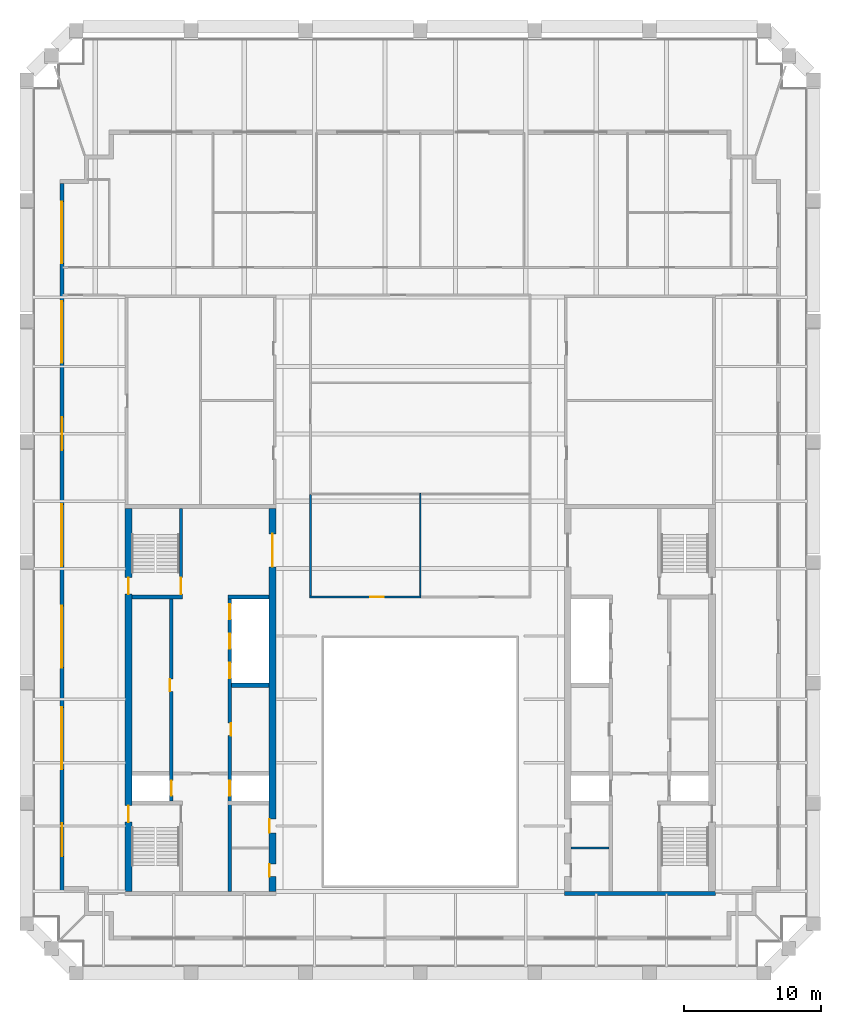
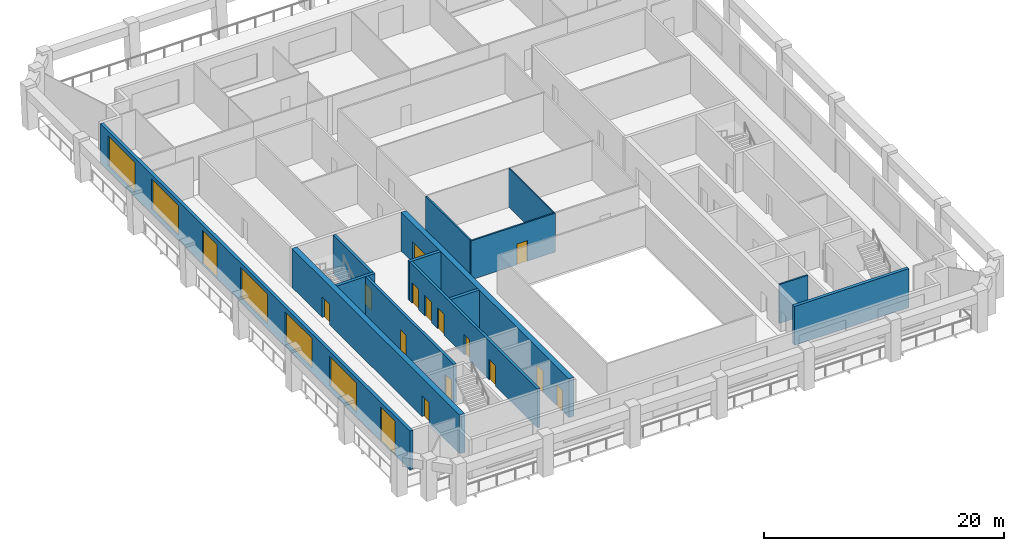
# One storey, part 3 of 9: 16 doors, 14 walls, 5 windows, 21 openings.
"""IFC4 building model written with IfcOpenShell, lengths in metres."""

from ifc_helpers import new_model, si_unit, direction, frame, frame_2d, origin, place, context, subcontext, project, spatial, rectangle, extrude, material, layer, layer_set, type_object, element, fill, save


model = new_model("IFC4")

# Units and contexts
model_context = context("Model", 3, precision=1e-05, world=origin(), true_north=direction((0.0, 1.0)))
body_context = subcontext(model_context, "Body", "Model", "MODEL_VIEW")
ifc_project = project(units=[si_unit("LENGTHUNIT", "METRE"), si_unit("AREAUNIT", "SQUARE_METRE"), si_unit("VOLUMEUNIT", "CUBIC_METRE"), si_unit("PLANEANGLEUNIT", "RADIAN"), si_unit("MASSUNIT", "GRAM", prefix="KILO")], contexts=[model_context])

# Site, building, storey
site_placement = place(None, origin())
site = spatial("IfcSite", under=ifc_project, at=site_placement, CompositionType="ELEMENT")
building_placement = place(site_placement, origin())
building = spatial("IfcBuilding", under=site, at=building_placement, Name="Ogive Exchange Tower", CompositionType="ELEMENT")
storey_placement = place(building_placement, frame((0.0, 0.0, 355.199951171875)))
storey = spatial("IfcBuildingStorey", under=building, at=storey_placement, Name="L78", CompositionType="ELEMENT", Elevation=355.199951171875)

# Wall
ifc_material_1 = material(Name="Gypsum board partition")
ifc_layer_1 = layer(ifc_material_1, 0.14990234375)
ifc_layer_set_1 = layer_set([ifc_layer_1], Name="Core room partition 150 gypsum")
wall_type_1 = type_object("IfcWallType", Name="Core room partition 150 gypsum", PredefinedType="PARTITIONING", material=ifc_layer_set_1)
wall_1_placement = place(storey_placement, frame((11.0, 0.699951171875, 0.0), z_axis=(0.0, 0.0, 1.0), x_axis=(1.0, 0.0, 0.0)))
element("IfcWall", 1, at=wall_1_placement, inside=storey, type_object=wall_type_1, Name="E south room partition", PredefinedType="PARTITIONING", context=body_context, shape_type="SweptSolid", body=[
    extrude(rectangle(XDim=2.75, YDim=0.14990234375, at=frame_2d((1.375, 0.0))), origin(), (0.0, 0.0, 1.0), 3.949951171875),
])

# Wall, opening, door
ifc_material_2 = material(Name="Fire partition EI 60 150")
ifc_layer_2 = layer(ifc_material_2, 0.14990234375)
ifc_layer_set_2 = layer_set([ifc_layer_2], Name="Fire partition EI 60 150")
wall_type_2 = type_object("IfcWallType", Name="Fire partition EI 60 150", PredefinedType="PARTITIONING", material=ifc_layer_set_2)
wall_2_placement = place(storey_placement, frame((-8.074951171875, 19.0, 0.0), z_axis=(0.0, 0.0, 1.0), x_axis=(1.0, 0.0, 0.0)))
wall_2 = element("IfcWall", 2, at=wall_2_placement, inside=storey, type_object=wall_type_2, Name="L78-PWL-012", PredefinedType="PARTITIONING", context=body_context, shape_type="SweptSolid", body=[
    extrude(rectangle(XDim=8.125, YDim=0.14990234375, at=frame_2d((4.0625, 0.0))), origin(), (0.0, 0.0, 1.0), 3.949951171875),
])
opening_1_placement = place(wall_2_placement, frame((4.425048828125, 0.0, 0.0)))
opening_1 = element("IfcOpeningElement", 3, at=opening_1_placement, cuts=wall_2, Name="Opening L78-I14", PredefinedType="OPENING", context=body_context, shape_type="SweptSolid", body=[
    extrude(rectangle(XDim=1.0, YDim=2.10009765625, at=frame_2d((0.5, 1.050048828125))), frame((0.0, 0.0849609375, 0.0), z_axis=(0.0, -1.0, 0.0), x_axis=(1.0, 0.0, 0.0)), (0.0, 0.0, 1.0), 0.169921875),
])
ifc_material_3 = material(Name="Fire door FD 30S 1000 x 2100")
door_type_1 = type_object("IfcDoorType", Name="Fire door FD 30S 1000 x 2100", OperationType="NOTDEFINED", PredefinedType="DOOR", material=ifc_material_3)
door_1_placement = place(opening_1_placement, origin())
door_1 = element("IfcDoor", 4, at=door_1_placement, inside=storey, type_object=door_type_1, Name="L78-IDR-014", ObjectType="DT3", OperationType="SINGLE_SWING_LEFT", OverallHeight=2.10009765625, OverallWidth=1.0, PredefinedType="DOOR", context=body_context, shape_type="SweptSolid", body=[
    extrude(rectangle(XDim=1.0, YDim=2.10009765625, at=frame_2d((0.5, 1.050048828125))), frame((0.0, 0.02490234375, 0.0), z_axis=(0.0, -1.0, 0.0), x_axis=(1.0, 0.0, 0.0)), (0.0, 0.0, 1.0), 0.050048828125),
])
fill(opening_1, door_1)

# Wall
wall_3_placement = place(storey_placement, frame((-8.0, 26.449951171875, 0.0), z_axis=(0.0, 0.0, 1.0), x_axis=(0.0, -1.0, 0.0)))
element("IfcWall", 5, at=wall_3_placement, inside=storey, type_object=wall_type_2, Name="L78-PWL-013", PredefinedType="PARTITIONING", context=body_context, shape_type="SweptSolid", body=[
    extrude(rectangle(XDim=7.375, YDim=0.14990234375, at=frame_2d((3.6875, 0.0))), origin(), (0.0, 0.0, 1.0), 3.949951171875),
])

# Wall, openings, doors, windows
ifc_material_4 = material(Name="Precast concrete C40/50", Category="concrete")
ifc_layer_3 = layer(ifc_material_4, 0.300048828125)
ifc_layer_set_3 = layer_set([ifc_layer_3], Name="Limestone-faced wall 300")
wall_type_3 = type_object("IfcWallType", Name="Limestone-faced wall 300", PredefinedType="STANDARD", material=ifc_layer_set_3)
wall_4_placement = place(storey_placement, frame((-26.10009765625, 49.10009765625, 0.0), z_axis=(0.0, 0.0, 1.0), x_axis=(0.0, -1.0, 0.0)))
wall_4 = element("IfcWall", 6, at=wall_4_placement, inside=storey, type_object=wall_type_3, Name="External wall W4", PredefinedType="STANDARD", context=body_context, shape_type="SweptSolid", body=[
    extrude(rectangle(XDim=51.5, YDim=0.300048828125, at=frame_2d((25.75, 0.0))), origin(), (0.0, 0.0, 1.0), 3.949951171875),
])
opening_2_placement = place(wall_4_placement, frame((1.300048828125, 0.0, 0.449951171875)))
opening_2 = element("IfcOpeningElement", 7, at=opening_2_placement, cuts=wall_4, Name="Opening W1", PredefinedType="OPENING", context=body_context, shape_type="SweptSolid", body=[
    extrude(rectangle(XDim=4.5, YDim=3.050048828125, at=frame_2d((2.25, 1.52490234375))), frame((0.0, 0.159912109375, 0.0), z_axis=(0.0, -1.0, 0.0), x_axis=(1.0, 0.0, 0.0)), (0.0, 0.0, 1.0), 0.320068359375),
])
opening_3_placement = place(wall_4_placement, frame((8.550048828125, 0.0, 0.449951171875)))
opening_3 = element("IfcOpeningElement", 8, at=opening_3_placement, cuts=wall_4, Name="Opening W1", PredefinedType="OPENING", context=body_context, shape_type="SweptSolid", body=[
    extrude(rectangle(XDim=4.5, YDim=3.050048828125, at=frame_2d((2.25, 1.52490234375))), frame((0.0, 0.159912109375, 0.0), z_axis=(0.0, -1.0, 0.0), x_axis=(1.0, 0.0, 0.0)), (0.0, 0.0, 1.0), 0.320068359375),
])
opening_4_placement = place(wall_4_placement, frame((17.0, 0.0, 0.0)))
opening_4 = element("IfcOpeningElement", 9, at=opening_4_placement, cuts=wall_4, Name="Opening D1A", PredefinedType="OPENING", context=body_context, shape_type="SweptSolid", body=[
    extrude(rectangle(XDim=2.39990234375, YDim=3.449951171875, at=frame_2d((1.199951171875, 1.72509765625))), frame((0.0, 0.159912109375, 0.0), z_axis=(0.0, -1.0, 0.0), x_axis=(1.0, 0.0, 0.0)), (0.0, 0.0, 1.0), 0.320068359375),
])
opening_5_placement = place(wall_4_placement, frame((23.35009765625, 0.0, 0.449951171875)))
opening_5 = element("IfcOpeningElement", 10, at=opening_5_placement, cuts=wall_4, Name="Opening W1", PredefinedType="OPENING", context=body_context, shape_type="SweptSolid", body=[
    extrude(rectangle(XDim=4.5, YDim=3.050048828125, at=frame_2d((2.25, 1.52490234375))), frame((0.0, 0.159912109375, 0.0), z_axis=(0.0, -1.0, 0.0), x_axis=(1.0, 0.0, 0.0)), (0.0, 0.0, 1.0), 0.320068359375),
])
opening_6_placement = place(wall_4_placement, frame((30.75, 0.0, 0.449951171875)))
opening_6 = element("IfcOpeningElement", 11, at=opening_6_placement, cuts=wall_4, Name="Opening W1", PredefinedType="OPENING", context=body_context, shape_type="SweptSolid", body=[
    extrude(rectangle(XDim=4.5, YDim=3.050048828125, at=frame_2d((2.25, 1.52490234375))), frame((0.0, 0.159912109375, 0.0), z_axis=(0.0, -1.0, 0.0), x_axis=(1.0, 0.0, 0.0)), (0.0, 0.0, 1.0), 0.320068359375),
])
opening_7_placement = place(wall_4_placement, frame((38.14990234375, 0.0, 0.449951171875)))
opening_7 = element("IfcOpeningElement", 12, at=opening_7_placement, cuts=wall_4, Name="Opening W1A", PredefinedType="OPENING", context=body_context, shape_type="SweptSolid", body=[
    extrude(rectangle(XDim=4.5, YDim=3.0, at=frame_2d((2.25, 1.5))), frame((0.0, 0.159912109375, 0.0), z_axis=(0.0, -1.0, 0.0), x_axis=(1.0, 0.0, 0.0)), (0.0, 0.0, 1.0), 0.320068359375),
])
opening_8_placement = place(wall_4_placement, frame((46.60009765625, 0.0, 0.0)))
opening_8 = element("IfcOpeningElement", 13, at=opening_8_placement, cuts=wall_4, Name="Opening D1A", PredefinedType="OPENING", context=body_context, shape_type="SweptSolid", body=[
    extrude(rectangle(XDim=2.39990234375, YDim=3.449951171875, at=frame_2d((1.199951171875, 1.72509765625))), frame((0.0, 0.159912109375, 0.0), z_axis=(0.0, -1.0, 0.0), x_axis=(1.0, 0.0, 0.0)), (0.0, 0.0, 1.0), 0.320068359375),
])
ifc_material_5 = material(Name="Clear glass in bronze frame", Category="glass")
door_type_2 = type_object("IfcDoorType", Name="Sliding loggia door 2400 x 3450", OperationType="DOUBLE_DOOR_SLIDING", PredefinedType="DOOR", material=ifc_material_5)
door_2_placement = place(opening_4_placement, origin())
door_2 = element("IfcDoor", 14, at=door_2_placement, inside=storey, type_object=door_type_2, Name="Loggia door W02", OperationType="DOUBLE_DOOR_SLIDING", OverallHeight=3.449951171875, OverallWidth=2.39990234375, PredefinedType="DOOR", context=body_context, shape_type="SweptSolid", body=[
    extrude(rectangle(XDim=2.39990234375, YDim=3.449951171875, at=frame_2d((1.199951171875, 1.72509765625))), frame((0.0, 0.02490234375, 0.0), z_axis=(0.0, -1.0, 0.0), x_axis=(1.0, 0.0, 0.0)), (0.0, 0.0, 1.0), 0.050048828125),
])
fill(opening_4, door_2)
door_3_placement = place(opening_8_placement, origin())
door_3 = element("IfcDoor", 15, at=door_3_placement, inside=storey, type_object=door_type_2, Name="Loggia door W06", OperationType="DOUBLE_DOOR_SLIDING", OverallHeight=3.449951171875, OverallWidth=2.39990234375, PredefinedType="DOOR", context=body_context, shape_type="SweptSolid", body=[
    extrude(rectangle(XDim=2.39990234375, YDim=3.449951171875, at=frame_2d((1.199951171875, 1.72509765625))), frame((0.0, 0.02490234375, 0.0), z_axis=(0.0, -1.0, 0.0), x_axis=(1.0, 0.0, 0.0)), (0.0, 0.0, 1.0), 0.050048828125),
])
fill(opening_8, door_3)
window_type_1 = type_object("IfcWindowType", Name="Twin lancet window 4500 x 3000", PartitioningType="DOUBLE_PANEL_VERTICAL", PredefinedType="WINDOW", material=ifc_material_5)
window_1_placement = place(opening_7_placement, origin())
window_1 = element("IfcWindow", 16, at=window_1_placement, inside=storey, type_object=window_type_1, Name="Window W05", OverallHeight=3.0, OverallWidth=4.5, PartitioningType="DOUBLE_PANEL_VERTICAL", PredefinedType="WINDOW", context=body_context, shape_type="SweptSolid", body=[
    extrude(rectangle(XDim=4.5, YDim=3.0, at=frame_2d((2.25, 1.5))), frame((0.0, 0.030029296875, 0.0), z_axis=(0.0, -1.0, 0.0), x_axis=(1.0, 0.0, 0.0)), (0.0, 0.0, 1.0), 0.06005859375),
])
fill(opening_7, window_1)
window_type_2 = type_object("IfcWindowType", Name="Twin lancet window 4500 x 3050", PartitioningType="DOUBLE_PANEL_VERTICAL", PredefinedType="WINDOW", material=ifc_material_5)
window_2_placement = place(opening_2_placement, origin())
window_2 = element("IfcWindow", 17, at=window_2_placement, inside=storey, type_object=window_type_2, Name="Window W00", OverallHeight=3.050048828125, OverallWidth=4.5, PartitioningType="DOUBLE_PANEL_VERTICAL", PredefinedType="WINDOW", context=body_context, shape_type="SweptSolid", body=[
    extrude(rectangle(XDim=4.5, YDim=3.050048828125, at=frame_2d((2.25, 1.52490234375))), frame((0.0, 0.030029296875, 0.0), z_axis=(0.0, -1.0, 0.0), x_axis=(1.0, 0.0, 0.0)), (0.0, 0.0, 1.0), 0.06005859375),
])
fill(opening_2, window_2)
window_3_placement = place(opening_3_placement, origin())
window_3 = element("IfcWindow", 18, at=window_3_placement, inside=storey, type_object=window_type_2, Name="Window W01", OverallHeight=3.050048828125, OverallWidth=4.5, PartitioningType="DOUBLE_PANEL_VERTICAL", PredefinedType="WINDOW", context=body_context, shape_type="SweptSolid", body=[
    extrude(rectangle(XDim=4.5, YDim=3.050048828125, at=frame_2d((2.25, 1.52490234375))), frame((0.0, 0.030029296875, 0.0), z_axis=(0.0, -1.0, 0.0), x_axis=(1.0, 0.0, 0.0)), (0.0, 0.0, 1.0), 0.06005859375),
])
fill(opening_3, window_3)
window_4_placement = place(opening_5_placement, origin())
window_4 = element("IfcWindow", 19, at=window_4_placement, inside=storey, type_object=window_type_2, Name="Window W03", OverallHeight=3.050048828125, OverallWidth=4.5, PartitioningType="DOUBLE_PANEL_VERTICAL", PredefinedType="WINDOW", context=body_context, shape_type="SweptSolid", body=[
    extrude(rectangle(XDim=4.5, YDim=3.050048828125, at=frame_2d((2.25, 1.52490234375))), frame((0.0, 0.030029296875, 0.0), z_axis=(0.0, -1.0, 0.0), x_axis=(1.0, 0.0, 0.0)), (0.0, 0.0, 1.0), 0.06005859375),
])
fill(opening_5, window_4)
window_5_placement = place(opening_6_placement, origin())
window_5 = element("IfcWindow", 20, at=window_5_placement, inside=storey, type_object=window_type_2, Name="Window W04", OverallHeight=3.050048828125, OverallWidth=4.5, PartitioningType="DOUBLE_PANEL_VERTICAL", PredefinedType="WINDOW", context=body_context, shape_type="SweptSolid", body=[
    extrude(rectangle(XDim=4.5, YDim=3.050048828125, at=frame_2d((2.25, 1.52490234375))), frame((0.0, 0.030029296875, 0.0), z_axis=(0.0, -1.0, 0.0), x_axis=(1.0, 0.0, 0.0)), (0.0, 0.0, 1.0), 0.06005859375),
])
fill(opening_6, window_5)

# Wall
ifc_material_6 = material(Name="Partition 100 gypsum")
ifc_layer_4 = layer(ifc_material_6, 0.10009765625)
ifc_layer_set_4 = layer_set([ifc_layer_4], Name="Partition 100 gypsum")
wall_type_4 = type_object("IfcWallType", Name="Partition 100 gypsum", PredefinedType="PARTITIONING", material=ifc_layer_set_4)
wall_5_placement = place(storey_placement, frame((0.0, 19.074951171875, 0.0), z_axis=(0.0, 0.0, 1.0), x_axis=(0.0, 1.0, 0.0)))
element("IfcWall", 21, at=wall_5_placement, inside=storey, type_object=wall_type_4, Name="L78-PWL-021", PredefinedType="PARTITIONING", context=body_context, shape_type="SweptSolid", body=[
    extrude(rectangle(XDim=7.47509765625, YDim=0.10009765625, at=frame_2d((3.737548828125, 0.0))), origin(), (0.0, 0.0, 1.0), 3.949951171875),
])

# Wall, opening, door
ifc_material_7 = material(Name="Concrete C70/85", Category="concrete")
ifc_layer_5 = layer(ifc_material_7, 0.25)
ifc_layer_set_5 = layer_set([ifc_layer_5], Name="RC core wall 250 C70/85")
wall_type_5 = type_object("IfcWallType", Name="RC core wall 250 C70/85", PredefinedType="SHEAR", material=ifc_layer_set_5)
wall_6_placement = place(storey_placement, frame((-17.425048828125, 19.14990234375, 0.0), z_axis=(0.0, 0.0, 1.0), x_axis=(0.0, 1.0, 0.0)))
wall_6 = element("IfcWall", 22, at=wall_6_placement, inside=storey, type_object=wall_type_5, Name="W stair N front wall", PredefinedType="SHEAR", context=body_context, shape_type="SweptSolid", body=[
    extrude(rectangle(XDim=6.300048828125, YDim=0.25, at=frame_2d((3.14990234375, 0.0))), origin(), (0.0, 0.0, 1.0), 3.949951171875),
])
opening_9_placement = place(wall_6_placement, frame((0.050048828125, 0.0, 0.0)))
opening_9 = element("IfcOpeningElement", 23, at=opening_9_placement, cuts=wall_6, Name="Opening L78-C12", PredefinedType="OPENING", context=body_context, shape_type="SweptSolid", body=[
    extrude(rectangle(XDim=1.199951171875, YDim=2.10009765625, at=frame_2d((0.60009765625, 1.050048828125))), frame((0.0, 0.135009765625, 0.0), z_axis=(0.0, -1.0, 0.0), x_axis=(1.0, 0.0, 0.0)), (0.0, 0.0, 1.0), 0.27001953125),
])
ifc_material_8 = material(Name="Steel fire door", Category="steel")
door_type_3 = type_object("IfcDoorType", Name="Stair door FD90 1200 x 2100", OperationType="NOTDEFINED", PredefinedType="DOOR", material=ifc_material_8)
door_4_placement = place(opening_9_placement, origin())
door_4 = element("IfcDoor", 24, at=door_4_placement, inside=storey, type_object=door_type_3, Name="Stair door", ObjectType="CD5", OperationType="SINGLE_SWING_RIGHT", OverallHeight=2.10009765625, OverallWidth=1.199951171875, PredefinedType="DOOR", context=body_context, shape_type="SweptSolid", body=[
    extrude(rectangle(XDim=1.199951171875, YDim=2.10009765625, at=frame_2d((0.60009765625, 1.050048828125))), frame((0.0, 0.02490234375, 0.0), z_axis=(0.0, -1.0, 0.0), x_axis=(1.0, 0.0, 0.0)), (0.0, 0.0, 1.0), 0.050048828125),
])
fill(opening_9, door_4)

# Wall, openings, doors
wall_7_placement = place(storey_placement, frame((-18.125, 4.14990234375, 0.0), z_axis=(0.0, 0.0, 1.0), x_axis=(0.0, 1.0, 0.0)))
wall_7 = element("IfcWall", 25, at=wall_7_placement, inside=storey, type_object=wall_type_5, Name="W row A front wall", PredefinedType="SHEAR", context=body_context, shape_type="SweptSolid", body=[
    extrude(rectangle(XDim=14.7001953125, YDim=0.25, at=frame_2d((7.35009765625, 0.0))), origin(), (0.0, 0.0, 1.0), 3.949951171875),
])
opening_10_placement = place(wall_7_placement, frame((7.971435546875, 0.0, 0.0)))
opening_10 = element("IfcOpeningElement", 26, at=opening_10_placement, cuts=wall_7, Name="Opening L78-C01", PredefinedType="OPENING", context=body_context, shape_type="SweptSolid", body=[
    extrude(rectangle(XDim=0.89990234375, YDim=2.10009765625, at=frame_2d((0.449951171875, 1.050048828125))), frame((0.0, 0.135009765625, 0.0), z_axis=(0.0, -1.0, 0.0), x_axis=(1.0, 0.0, 0.0)), (0.0, 0.0, 1.0), 0.27001953125),
])
opening_11_placement = place(wall_7_placement, frame((0.371337890625, 0.0, 0.0)))
opening_11 = element("IfcOpeningElement", 27, at=opening_11_placement, cuts=wall_7, Name="Opening L78-C02", PredefinedType="OPENING", context=body_context, shape_type="SweptSolid", body=[
    extrude(rectangle(XDim=1.10009765625, YDim=2.10009765625, at=frame_2d((0.550048828125, 1.050048828125))), frame((0.0, 0.135009765625, 0.0), z_axis=(0.0, -1.0, 0.0), x_axis=(1.0, 0.0, 0.0)), (0.0, 0.0, 1.0), 0.27001953125),
])
ifc_material_9 = material(Name="Timber fire door", Category="wood")
door_type_4 = type_object("IfcDoorType", Name="Core room door FD30S 900 x 2100", OperationType="NOTDEFINED", PredefinedType="DOOR", material=ifc_material_9)
door_5_placement = place(opening_10_placement, origin())
door_5 = element("IfcDoor", 28, at=door_5_placement, inside=storey, type_object=door_type_4, Name="Core room door", ObjectType="CD6", OperationType="SINGLE_SWING_RIGHT", OverallHeight=2.10009765625, OverallWidth=0.89990234375, PredefinedType="DOOR", context=body_context, shape_type="SweptSolid", body=[
    extrude(rectangle(XDim=0.89990234375, YDim=2.10009765625, at=frame_2d((0.449951171875, 1.050048828125))), frame((0.0, 0.125, 0.0), z_axis=(0.0, -1.0, 0.0), x_axis=(1.0, 0.0, 0.0)), (0.0, 0.0, 1.0), 0.050048828125),
])
fill(opening_10, door_5)
ifc_material_10 = material(Name="Stainless steel", Category="steel")
door_type_5 = type_object("IfcDoorType", Name="Lift landing door FD90 1100 x 2100", OperationType="SLIDING_TO_LEFT", PredefinedType="DOOR", material=ifc_material_10)
door_6_placement = place(opening_11_placement, origin())
door_6 = element("IfcDoor", 29, at=door_6_placement, inside=storey, type_object=door_type_5, Name="Lift landing door FF1", ObjectType="LD", OperationType="SLIDING_TO_LEFT", OverallHeight=2.10009765625, OverallWidth=1.10009765625, PredefinedType="DOOR", context=body_context, shape_type="SweptSolid", body=[
    extrude(rectangle(XDim=1.10009765625, YDim=2.10009765625, at=frame_2d((0.550048828125, 1.050048828125))), frame((0.0, 0.02490234375, 0.0), z_axis=(0.0, -1.0, 0.0), x_axis=(1.0, 0.0, 0.0)), (0.0, 0.0, 1.0), 0.050048828125),
])
fill(opening_11, door_6)

wall_8_placement = place(storey_placement, frame((-13.875, -2.449951171875, 0.0), z_axis=(0.0, 0.0, 1.0), x_axis=(0.0, 1.0, 0.0)))
wall_8 = element("IfcWall", 30, at=wall_8_placement, inside=storey, type_object=wall_type_5, Name="W row B front wall", PredefinedType="SHEAR", context=body_context, shape_type="SweptSolid", body=[
    extrude(rectangle(XDim=21.300048828125, YDim=0.25, at=frame_2d((10.64990234375, 0.0))), origin(), (0.0, 0.0, 1.0), 3.949951171875),
])
opening_12_placement = place(wall_8_placement, frame((11.357177734375, 0.0, 0.0)))
opening_12 = element("IfcOpeningElement", 31, at=opening_12_placement, cuts=wall_8, Name="Opening L78-C03", PredefinedType="OPENING", context=body_context, shape_type="SweptSolid", body=[
    extrude(rectangle(XDim=0.89990234375, YDim=2.10009765625, at=frame_2d((0.449951171875, 1.050048828125))), frame((0.0, 0.135009765625, 0.0), z_axis=(0.0, -1.0, 0.0), x_axis=(1.0, 0.0, 0.0)), (0.0, 0.0, 1.0), 0.27001953125),
])
opening_13_placement = place(wall_8_placement, frame((6.971435546875, 0.0, 0.0)))
opening_13 = element("IfcOpeningElement", 32, at=opening_13_placement, cuts=wall_8, Name="Opening L78-C04", PredefinedType="OPENING", context=body_context, shape_type="SweptSolid", body=[
    extrude(rectangle(XDim=1.10009765625, YDim=2.10009765625, at=frame_2d((0.550048828125, 1.050048828125))), frame((0.0, 0.135009765625, 0.0), z_axis=(0.0, -1.0, 0.0), x_axis=(1.0, 0.0, 0.0)), (0.0, 0.0, 1.0), 0.27001953125),
])
opening_14_placement = place(wall_8_placement, frame((15.54296875, 0.0, 0.0)))
opening_14 = element("IfcOpeningElement", 33, at=opening_14_placement, cuts=wall_8, Name="Opening L78-C05", PredefinedType="OPENING", context=body_context, shape_type="SweptSolid", body=[
    extrude(rectangle(XDim=1.10009765625, YDim=2.10009765625, at=frame_2d((0.550048828125, 1.050048828125))), frame((0.0, 0.135009765625, 0.0), z_axis=(0.0, -1.0, 0.0), x_axis=(1.0, 0.0, 0.0)), (0.0, 0.0, 1.0), 0.27001953125),
])
opening_15_placement = place(wall_8_placement, frame((17.685791015625, 0.0, 0.0)))
opening_15 = element("IfcOpeningElement", 34, at=opening_15_placement, cuts=wall_8, Name="Opening L78-C06", PredefinedType="OPENING", context=body_context, shape_type="SweptSolid", body=[
    extrude(rectangle(XDim=1.10009765625, YDim=2.10009765625, at=frame_2d((0.550048828125, 1.050048828125))), frame((0.0, 0.135009765625, 0.0), z_axis=(0.0, -1.0, 0.0), x_axis=(1.0, 0.0, 0.0)), (0.0, 0.0, 1.0), 0.27001953125),
])
opening_16_placement = place(wall_8_placement, frame((19.82861328125, 0.0, 0.0)))
opening_16 = element("IfcOpeningElement", 35, at=opening_16_placement, cuts=wall_8, Name="Opening L78-C07", PredefinedType="OPENING", context=body_context, shape_type="SweptSolid", body=[
    extrude(rectangle(XDim=1.10009765625, YDim=2.10009765625, at=frame_2d((0.550048828125, 1.050048828125))), frame((0.0, 0.135009765625, 0.0), z_axis=(0.0, -1.0, 0.0), x_axis=(1.0, 0.0, 0.0)), (0.0, 0.0, 1.0), 0.27001953125),
])
door_7_placement = place(opening_13_placement, origin())
door_7 = element("IfcDoor", 36, at=door_7_placement, inside=storey, type_object=door_type_5, Name="Lift landing door SV1", ObjectType="LD", OperationType="SLIDING_TO_LEFT", OverallHeight=2.10009765625, OverallWidth=1.10009765625, PredefinedType="DOOR", context=body_context, shape_type="SweptSolid", body=[
    extrude(rectangle(XDim=1.10009765625, YDim=2.10009765625, at=frame_2d((0.550048828125, 1.050048828125))), frame((0.0, 0.02490234375, 0.0), z_axis=(0.0, -1.0, 0.0), x_axis=(1.0, 0.0, 0.0)), (0.0, 0.0, 1.0), 0.050048828125),
])
fill(opening_13, door_7)
door_8_placement = place(opening_14_placement, origin())
door_8 = element("IfcDoor", 37, at=door_8_placement, inside=storey, type_object=door_type_5, Name="Lift landing door W-H1", ObjectType="LD", OperationType="SLIDING_TO_LEFT", OverallHeight=2.10009765625, OverallWidth=1.10009765625, PredefinedType="DOOR", context=body_context, shape_type="SweptSolid", body=[
    extrude(rectangle(XDim=1.10009765625, YDim=2.10009765625, at=frame_2d((0.550048828125, 1.050048828125))), frame((0.0, 0.02490234375, 0.0), z_axis=(0.0, -1.0, 0.0), x_axis=(1.0, 0.0, 0.0)), (0.0, 0.0, 1.0), 0.050048828125),
])
fill(opening_14, door_8)
door_9_placement = place(opening_15_placement, origin())
door_9 = element("IfcDoor", 38, at=door_9_placement, inside=storey, type_object=door_type_5, Name="Lift landing door W-H2", ObjectType="LD", OperationType="SLIDING_TO_LEFT", OverallHeight=2.10009765625, OverallWidth=1.10009765625, PredefinedType="DOOR", context=body_context, shape_type="SweptSolid", body=[
    extrude(rectangle(XDim=1.10009765625, YDim=2.10009765625, at=frame_2d((0.550048828125, 1.050048828125))), frame((0.0, 0.02490234375, 0.0), z_axis=(0.0, -1.0, 0.0), x_axis=(1.0, 0.0, 0.0)), (0.0, 0.0, 1.0), 0.050048828125),
])
fill(opening_15, door_9)
door_10_placement = place(opening_16_placement, origin())
door_10 = element("IfcDoor", 39, at=door_10_placement, inside=storey, type_object=door_type_5, Name="Lift landing door W-H3", ObjectType="LD", OperationType="SLIDING_TO_LEFT", OverallHeight=2.10009765625, OverallWidth=1.10009765625, PredefinedType="DOOR", context=body_context, shape_type="SweptSolid", body=[
    extrude(rectangle(XDim=1.10009765625, YDim=2.10009765625, at=frame_2d((0.550048828125, 1.050048828125))), frame((0.0, 0.02490234375, 0.0), z_axis=(0.0, -1.0, 0.0), x_axis=(1.0, 0.0, 0.0)), (0.0, 0.0, 1.0), 0.050048828125),
])
fill(opening_16, door_10)
door_type_6 = type_object("IfcDoorType", Name="Riser door FD60 900 x 2100", OperationType="NOTDEFINED", PredefinedType="DOOR", material=ifc_material_8)
door_11_placement = place(opening_12_placement, frame((0.89990234375, -0.2001953125, 0.0), z_axis=(0.0, 0.0, 1.0), x_axis=(-1.0, 0.0, 0.0)))
door_11 = element("IfcDoor", 40, at=door_11_placement, inside=storey, type_object=door_type_6, Name="Riser door", ObjectType="CD2", OperationType="SINGLE_SWING_LEFT", OverallHeight=2.10009765625, OverallWidth=0.89990234375, PredefinedType="DOOR", context=body_context, shape_type="SweptSolid", body=[
    extrude(rectangle(XDim=0.89990234375, YDim=2.10009765625, at=frame_2d((0.449951171875, 1.050048828125))), frame((0.0, -0.0751953125, 0.0), z_axis=(0.0, -1.0, 0.0), x_axis=(1.0, 0.0, 0.0)), (0.0, 0.0, 1.0), 0.050048828125),
])
fill(opening_12, door_11)

# Walls
ifc_layer_6 = layer(ifc_material_7, 0.300048828125)
ifc_layer_set_6 = layer_set([ifc_layer_6], Name="RC core wall 300 C70/85")
wall_type_6 = type_object("IfcWallType", Name="RC core wall 300 C70/85", PredefinedType="SHEAR", material=ifc_layer_set_6)
wall_9_placement = place(storey_placement, frame((-21.0, 19.0, 0.0), z_axis=(0.0, 0.0, 1.0), x_axis=(1.0, 0.0, 0.0)))
element("IfcWall", 41, at=wall_9_placement, inside=storey, type_object=wall_type_6, Name="W stair N south wall", PredefinedType="SHEAR", context=body_context, shape_type="SweptSolid", body=[
    extrude(rectangle(XDim=3.699951171875, YDim=0.300048828125, at=frame_2d((1.85009765625, 0.0))), origin(), (0.0, 0.0, 1.0), 3.949951171875),
])
wall_10_placement = place(storey_placement, frame((-13.75, 12.5712890625, 0.0), z_axis=(0.0, 0.0, 1.0), x_axis=(1.0, 0.0, 0.0)))
element("IfcWall", 42, at=wall_10_placement, inside=storey, type_object=wall_type_6, Name="W row B divider 4", PredefinedType="SHEAR", context=body_context, shape_type="SweptSolid", body=[
    extrude(rectangle(XDim=2.75, YDim=0.300048828125, at=frame_2d((1.375, 0.0))), origin(), (0.0, 0.0, 1.0), 3.949951171875),
])
wall_11_placement = place(storey_placement, frame((-14.0, 19.0, 0.0), z_axis=(0.0, 0.0, 1.0), x_axis=(1.0, 0.0, 0.0)))
element("IfcWall", 43, at=wall_11_placement, inside=storey, type_object=wall_type_6, Name="W row B divider 7", PredefinedType="SHEAR", context=body_context, shape_type="SweptSolid", body=[
    extrude(rectangle(XDim=3.0, YDim=0.300048828125, at=frame_2d((1.5, 0.0))), origin(), (0.0, 0.0, 1.0), 3.949951171875),
])
wall_12_placement = place(storey_placement, frame((10.5, -2.60009765625, 0.0), z_axis=(0.0, 0.0, 1.0), x_axis=(1.0, 0.0, 0.0)))
element("IfcWall", 44, at=wall_12_placement, inside=storey, type_object=wall_type_6, Name="E south end wall", PredefinedType="SHEAR", context=body_context, shape_type="SweptSolid", body=[
    extrude(rectangle(XDim=11.0, YDim=0.300048828125, at=frame_2d((5.5, 0.0))), origin(), (0.0, 0.0, 1.0), 3.949951171875),
])

# Wall, openings, doors
ifc_layer_7 = layer(ifc_material_7, 0.5)
ifc_layer_set_7 = layer_set([ifc_layer_7], Name="RC core wall 500 C70/85")
wall_type_7 = type_object("IfcWallType", Name="RC core wall 500 C70/85", PredefinedType="SHEAR", material=ifc_layer_set_7)
wall_13_placement = place(storey_placement, frame((-21.25, -2.449951171875, 0.0), z_axis=(0.0, 0.0, 1.0), x_axis=(0.0, 1.0, 0.0)))
wall_13 = element("IfcWall", 45, at=wall_13_placement, inside=storey, type_object=wall_type_7, Name="W outer wall", PredefinedType="SHEAR", context=body_context, shape_type="SweptSolid", body=[
    extrude(rectangle(XDim=27.89990234375, YDim=0.5, at=frame_2d((13.949951171875, 0.0))), origin(), (0.0, 0.0, 1.0), 3.949951171875),
])
opening_17_placement = place(wall_13_placement, frame((5.050048828125, 0.0, 0.0)))
opening_17 = element("IfcOpeningElement", 46, at=opening_17_placement, cuts=wall_13, Name="Opening L78-C11", PredefinedType="OPENING", context=body_context, shape_type="SweptSolid", body=[
    extrude(rectangle(XDim=1.199951171875, YDim=2.10009765625, at=frame_2d((0.60009765625, 1.050048828125))), frame((0.0, 0.260009765625, 0.0), z_axis=(0.0, -1.0, 0.0), x_axis=(1.0, 0.0, 0.0)), (0.0, 0.0, 1.0), 0.52001953125),
])
opening_18_placement = place(wall_13_placement, frame((21.64990234375, 0.0, 0.0)))
opening_18 = element("IfcOpeningElement", 47, at=opening_18_placement, cuts=wall_13, Name="Opening L78-C13", PredefinedType="OPENING", context=body_context, shape_type="SweptSolid", body=[
    extrude(rectangle(XDim=1.199951171875, YDim=2.10009765625, at=frame_2d((0.60009765625, 1.050048828125))), frame((0.0, 0.260009765625, 0.0), z_axis=(0.0, -1.0, 0.0), x_axis=(1.0, 0.0, 0.0)), (0.0, 0.0, 1.0), 0.52001953125),
])
door_12_placement = place(opening_17_placement, origin())
door_12 = element("IfcDoor", 48, at=door_12_placement, inside=storey, type_object=door_type_3, Name="Stair door", ObjectType="CD5", OperationType="SINGLE_SWING_LEFT", OverallHeight=2.10009765625, OverallWidth=1.199951171875, PredefinedType="DOOR", context=body_context, shape_type="SweptSolid", body=[
    extrude(rectangle(XDim=1.199951171875, YDim=2.10009765625, at=frame_2d((0.60009765625, 1.050048828125))), frame((0.0, 0.02490234375, 0.0), z_axis=(0.0, -1.0, 0.0), x_axis=(1.0, 0.0, 0.0)), (0.0, 0.0, 1.0), 0.050048828125),
])
fill(opening_17, door_12)
door_13_placement = place(opening_18_placement, origin())
door_13 = element("IfcDoor", 49, at=door_13_placement, inside=storey, type_object=door_type_3, Name="Stair door", ObjectType="CD5", OperationType="SINGLE_SWING_LEFT", OverallHeight=2.10009765625, OverallWidth=1.199951171875, PredefinedType="DOOR", context=body_context, shape_type="SweptSolid", body=[
    extrude(rectangle(XDim=1.199951171875, YDim=2.10009765625, at=frame_2d((0.60009765625, 1.050048828125))), frame((0.0, 0.02490234375, 0.0), z_axis=(0.0, -1.0, 0.0), x_axis=(1.0, 0.0, 0.0)), (0.0, 0.0, 1.0), 0.050048828125),
])
fill(opening_18, door_13)

wall_14_placement = place(storey_placement, frame((-10.75, -2.449951171875, 0.0), z_axis=(0.0, 0.0, 1.0), x_axis=(0.0, 1.0, 0.0)))
wall_14 = element("IfcWall", 50, at=wall_14_placement, inside=storey, type_object=wall_type_7, Name="W inner wall", PredefinedType="SHEAR", context=body_context, shape_type="SweptSolid", body=[
    extrude(rectangle(XDim=27.89990234375, YDim=0.5, at=frame_2d((13.949951171875, 0.0))), origin(), (0.0, 0.0, 1.0), 3.949951171875),
])
opening_19_placement = place(wall_14_placement, frame((23.64990234375, 0.0, 0.0)))
opening_19 = element("IfcOpeningElement", 51, at=opening_19_placement, cuts=wall_14, Name="Opening L78-C09", PredefinedType="OPENING", context=body_context, shape_type="SweptSolid", body=[
    extrude(rectangle(XDim=2.39990234375, YDim=2.10009765625, at=frame_2d((1.199951171875, 1.050048828125))), frame((0.0, 0.260009765625, 0.0), z_axis=(0.0, -1.0, 0.0), x_axis=(1.0, 0.0, 0.0)), (0.0, 0.0, 1.0), 0.52001953125),
])
opening_20_placement = place(wall_14_placement, frame((1.08740234375, 0.0, 0.0)))
opening_20 = element("IfcOpeningElement", 52, at=opening_20_placement, cuts=wall_14, Name="Opening L78-C14", PredefinedType="OPENING", context=body_context, shape_type="SweptSolid", body=[
    extrude(rectangle(XDim=0.89990234375, YDim=2.10009765625, at=frame_2d((0.449951171875, 1.050048828125))), frame((0.0, 0.260009765625, 0.0), z_axis=(0.0, -1.0, 0.0), x_axis=(1.0, 0.0, 0.0)), (0.0, 0.0, 1.0), 0.52001953125),
])
opening_21_placement = place(wall_14_placement, frame((4.262451171875, 0.0, 0.0)))
opening_21 = element("IfcOpeningElement", 53, at=opening_21_placement, cuts=wall_14, Name="Opening L78-C15", PredefinedType="OPENING", context=body_context, shape_type="SweptSolid", body=[
    extrude(rectangle(XDim=1.0, YDim=2.10009765625, at=frame_2d((0.5, 1.050048828125))), frame((0.0, 0.260009765625, 0.0), z_axis=(0.0, -1.0, 0.0), x_axis=(1.0, 0.0, 0.0)), (0.0, 0.0, 1.0), 0.52001953125),
])
door_type_7 = type_object("IfcDoorType", Name="Accessible WC door FD30S 1000 x 2100", OperationType="NOTDEFINED", PredefinedType="DOOR", material=ifc_material_9)
door_14_placement = place(opening_21_placement, frame((1.0, 0.4501953125, 0.0), z_axis=(0.0, 0.0, 1.0), x_axis=(-1.0, 0.0, 0.0)))
door_14 = element("IfcDoor", 54, at=door_14_placement, inside=storey, type_object=door_type_7, Name="Accessible WC door", ObjectType="CD7", OperationType="SINGLE_SWING_LEFT", OverallHeight=2.10009765625, OverallWidth=1.0, PredefinedType="DOOR", context=body_context, shape_type="SweptSolid", body=[
    extrude(rectangle(XDim=1.0, YDim=2.10009765625, at=frame_2d((0.5, 1.050048828125))), frame((0.0, 0.25, 0.0), z_axis=(0.0, -1.0, 0.0), x_axis=(1.0, 0.0, 0.0)), (0.0, 0.0, 1.0), 0.050048828125),
])
fill(opening_21, door_14)
door_15_placement = place(opening_20_placement, frame((0.89990234375, 0.4501953125, 0.0), z_axis=(0.0, 0.0, 1.0), x_axis=(-1.0, 0.0, 0.0)))
door_15 = element("IfcDoor", 55, at=door_15_placement, inside=storey, type_object=door_type_4, Name="Core room door", ObjectType="CD6", OperationType="SINGLE_SWING_LEFT", OverallHeight=2.10009765625, OverallWidth=0.89990234375, PredefinedType="DOOR", context=body_context, shape_type="SweptSolid", body=[
    extrude(rectangle(XDim=0.89990234375, YDim=2.10009765625, at=frame_2d((0.449951171875, 1.050048828125))), frame((0.0, 0.25, 0.0), z_axis=(0.0, -1.0, 0.0), x_axis=(1.0, 0.0, 0.0)), (0.0, 0.0, 1.0), 0.050048828125),
])
fill(opening_20, door_15)
ifc_material_11 = material(Name="Glazed steel fire door", Category="steel")
door_type_8 = type_object("IfcDoorType", Name="Lift lobby double door FD60 2400 x 2100", OperationType="DOUBLE_DOOR_SINGLE_SWING", PredefinedType="DOOR", material=ifc_material_11)
door_16_placement = place(opening_19_placement, frame((2.39990234375, 0.0, 0.0), z_axis=(0.0, 0.0, 1.0), x_axis=(-1.0, 0.0, 0.0)))
door_16 = element("IfcDoor", 56, at=door_16_placement, inside=storey, type_object=door_type_8, Name="Lift lobby double door", ObjectType="CD4", OperationType="DOUBLE_DOOR_SINGLE_SWING", OverallHeight=2.10009765625, OverallWidth=2.39990234375, PredefinedType="DOOR", context=body_context, shape_type="SweptSolid", body=[
    extrude(rectangle(XDim=2.39990234375, YDim=2.10009765625, at=frame_2d((1.199951171875, 1.050048828125))), frame((0.0, 0.02490234375, 0.0), z_axis=(0.0, -1.0, 0.0), x_axis=(1.0, 0.0, 0.0)), (0.0, 0.0, 1.0), 0.050048828125),
])
fill(opening_19, door_16)

save(model, "model.ifc")
